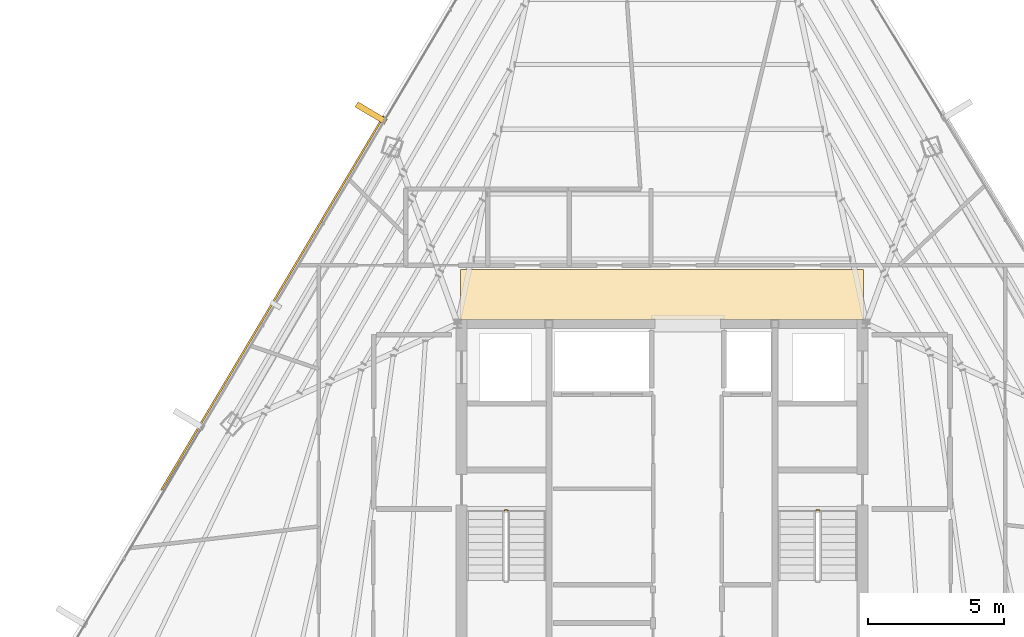
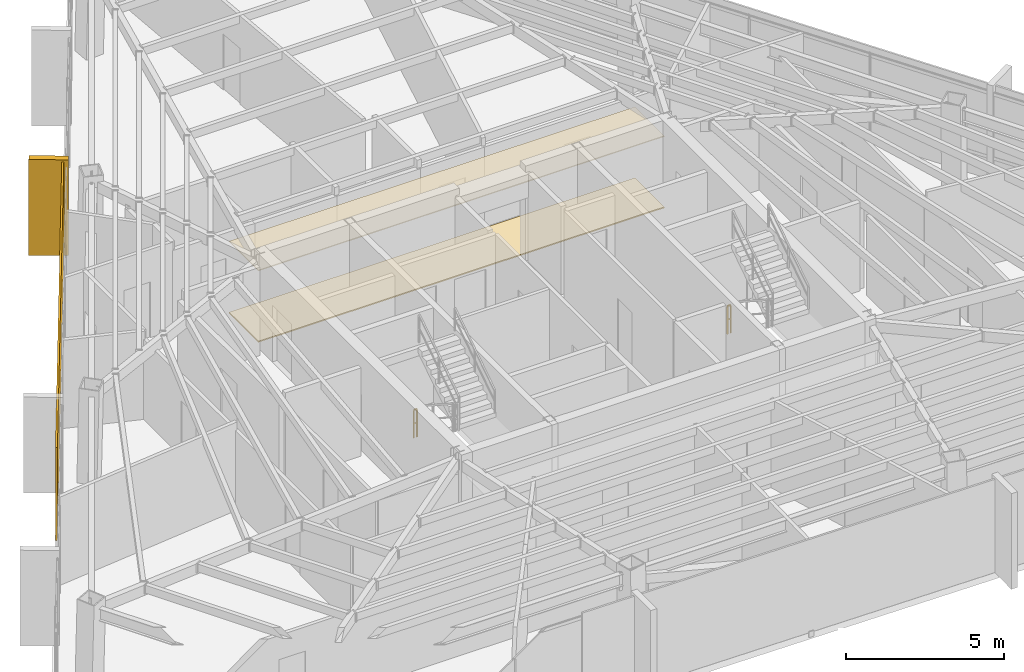
# One storey, part 46 of 47: 3 coverings, 2 railings, 1 shading device.
"""IFC4 building model written with IfcOpenShell, lengths in metres."""

from ifc_helpers import new_model, si_unit, direction, frame, origin, origin_2d, place, context, subcontext, project, spatial, polyline, rectangle, outline, extrude, source, transform, mapped, material, layer, layer_set, type_object, type_shapes, element, save


model = new_model("IFC4")

# Units and contexts
model_context = context("Model", 3, precision=1e-05, world=origin(), true_north=direction((0.0, 1.0)))
body_context = subcontext(model_context, "Body", "Model", "MODEL_VIEW")
ifc_project = project(units=[si_unit("LENGTHUNIT", "METRE"), si_unit("AREAUNIT", "SQUARE_METRE"), si_unit("VOLUMEUNIT", "CUBIC_METRE"), si_unit("PLANEANGLEUNIT", "RADIAN"), si_unit("MASSUNIT", "GRAM", prefix="KILO")], contexts=[model_context])

# Site, building, storey
site_placement = place(None, origin())
site = spatial("IfcSite", under=ifc_project, at=site_placement, CompositionType="ELEMENT")
building_placement = place(site_placement, origin())
building = spatial("IfcBuilding", under=site, at=building_placement, Name="Caelisora Broadcast Tower", CompositionType="ELEMENT")
storey_placement = place(building_placement, frame((0.0, 0.0, 248.10009765625)))
storey = spatial("IfcBuildingStorey", under=building, at=storey_placement, Name="L65", CompositionType="ELEMENT", Elevation=248.10009765625)

# Coverings
ifc_material_1 = material(Name="Perforated Mineral-Fibre Acoustic Ceiling Tile", Category="gypsum")
ifc_layer_1 = layer(ifc_material_1, 0.034912109375, Name="Perforated Mineral-Fibre Acoustic Ceiling Tile")
ifc_layer_set_1 = layer_set([ifc_layer_1], Name="Perforated Mineral-Fibre Acoustic Ceiling Tile")
covering_type_1 = type_object("IfcCoveringType", Name="CE-1", PredefinedType="CEILING", material=ifc_layer_set_1)
covering_1_placement = place(storey_placement, frame((0.0, 0.0, 2.75)))
element("IfcCovering", 1, at=covering_1_placement, inside=storey, type_object=covering_type_1, Name="L65 acoustic corridor ceiling CE-1 (N)", PredefinedType="CEILING", context=body_context, shape_type="SweptSolid", body=[
    extrude(outline(polyline([(30.60009765625, 30.14990234375), (45.39990234375, 30.14990234375), (45.39990234375, 32.0), (30.60009765625, 32.0), (30.60009765625, 30.14990234375)])), origin(), (0.0, 0.0, 1.0), 0.034912109375),
])
ifc_material_2 = material(Name="Anti-Static Broadcast Raised Access Floor Panel", Category="steel")
ifc_layer_2 = layer(ifc_material_2, 0.044921875, Name="Anti-Static Broadcast Raised Access Floor Panel")
ifc_layer_set_2 = layer_set([ifc_layer_2], Name="Anti-Static Broadcast Raised Access Floor Panel")
covering_type_2 = type_object("IfcCoveringType", Name="FL-1", PredefinedType="FLOORING", material=ifc_layer_set_2)
covering_2_placement = place(storey_placement, origin())
element("IfcCovering", 2, at=covering_2_placement, inside=storey, type_object=covering_type_2, Name="L65 broadcast raised access floor FL-1 (N)", PredefinedType="FLOORING", context=body_context, shape_type="SweptSolid", body=[
    extrude(outline(polyline([(30.60009765625, 30.14990234375), (45.39990234375, 30.14990234375), (45.39990234375, 32.0), (30.60009765625, 32.0), (30.60009765625, 30.14990234375)])), origin(), (0.0, 0.0, 1.0), 0.044921875),
])

# Railings
ifc_material_3 = material(Name="Galvanised Steel Safety Guardrail", Category="steel")
ifc_layer_3 = layer(ifc_material_3, 0.048095703125, Name="Galvanised Steel Safety Guardrail")
ifc_layer_set_3 = layer_set([ifc_layer_3], Name="Galvanised Steel Safety Guardrail")
railing_type = type_object("IfcRailingType", Name="GR-1", PredefinedType="GUARDRAIL", material=ifc_layer_set_3)
for number, where, name in (
    (3, (32.219970703125, 23.14990234375, 0.0), "L65 ST-1 stair guard 4"),
    (4, (43.659912109375, 23.14990234375, 0.0), "L65 ST-2 stair guard 4"),
):
    element("IfcRailing", number, at=place(storey_placement, frame(where)), inside=storey, type_object=railing_type, Name=name, PredefinedType="GUARDRAIL", context=body_context, shape_type="SweptSolid", body=[
        extrude(rectangle(XDim=0.048095703125, YDim=0.048095703125, at=origin_2d()), frame((0.0, 0.0, 1.076171875), z_axis=(1.0, 0.0, 0.0), x_axis=(0.0, 1.0, 0.0)), (0.0, 0.0, 1.0), 0.1201171875),
        extrude(rectangle(XDim=0.03125, YDim=0.03125, at=origin_2d()), frame((0.0, 0.0, 0.550048828125), z_axis=(1.0, 0.0, 0.0), x_axis=(0.0, 1.0, 0.0)), (0.0, 0.0, 1.0), 0.1201171875),
        extrude(rectangle(XDim=0.0419921875, YDim=0.0419921875, at=origin_2d()), origin(), (0.0, 0.0, 1.0), 1.052001953125),
        extrude(rectangle(XDim=0.0419921875, YDim=0.0419921875, at=origin_2d()), frame((0.1201171875, 0.0, 0.0)), (0.0, 0.0, 1.0), 1.052001953125),
    ])

# Covering
ifc_material_4 = material(Name="Kiln-Fired Terracotta Spandrel Rainscreen Cladding", Category="ceramic")
ifc_layer_4 = layer(ifc_material_4, 0.044921875, Name="Kiln-Fired Terracotta Spandrel Rainscreen Cladding")
ifc_layer_set_4 = layer_set([ifc_layer_4], Name="Kiln-Fired Terracotta Spandrel Rainscreen Cladding")
covering_type_3 = type_object("IfcCoveringType", Name="CL-1", PredefinedType="CLADDING", material=ifc_layer_set_4)
shared_shape_1 = source(origin(), body_context, "Body", "SweptSolid", [
    extrude(rectangle(XDim=0.219970703125, YDim=1.25, at=origin_2d()), origin(), (0.0, 0.0, 1.0), 3.68994140625),
])
type_shapes(covering_type_3, [shared_shape_1])
covering_3_placement = place(storey_placement, frame((27.32568359375, 37.736328125, -0.02001953125), z_axis=(0.0, 0.0, 1.0), x_axis=(0.511143083575, 0.859495635889, 0.0)))
element("IfcCovering", 5, at=covering_3_placement, inside=storey, type_object=covering_type_3, Name="L65 vertical solar fin cladding #3-3", PredefinedType="CLADDING", context=body_context, shape_type="MappedRepresentation", body=[
    mapped(shared_shape_1, transform((0.0, 0.0, 0.0), scale=1.0)),
])

# Shading device
ifc_material_5 = material(Name="Perforated Glazed Terracotta Baguette Solar Screen", Category="ceramic")
ifc_layer_5 = layer(ifc_material_5, 0.06494140625, Name="Perforated Glazed Terracotta Baguette Solar Screen")
ifc_layer_set_5 = layer_set([ifc_layer_5], Name="Perforated Glazed Terracotta Baguette Solar Screen")
shading_device_type = type_object("IfcShadingDeviceType", Name="SS-1", PredefinedType="USERDEFINED", material=ifc_layer_set_5)
shared_shape_2 = source(origin(), body_context, "Body", "SweptSolid", [
    extrude(rectangle(XDim=15.97509765625, YDim=0.06494140625, at=origin_2d()), origin(), (0.0, 0.0, 1.0), 3.590087890625),
])
type_shapes(shading_device_type, [shared_shape_2])
shading_device_placement = place(storey_placement, frame((23.702880859375, 30.76318359375, 0.0), z_axis=(0.0, 0.0, 1.0), x_axis=(-0.510993065504, -0.859584834096, 0.0)))
element("IfcShadingDevice", 6, at=shading_device_placement, inside=storey, type_object=shading_device_type, Name="L65 perforated terracotta solar screen #1", ObjectType="SOLAR SCREEN", PredefinedType="USERDEFINED", context=body_context, shape_type="MappedRepresentation", body=[
    mapped(shared_shape_2, transform((0.0, 0.0, 0.0), scale=1.0)),
])

save(model, "model.ifc")
